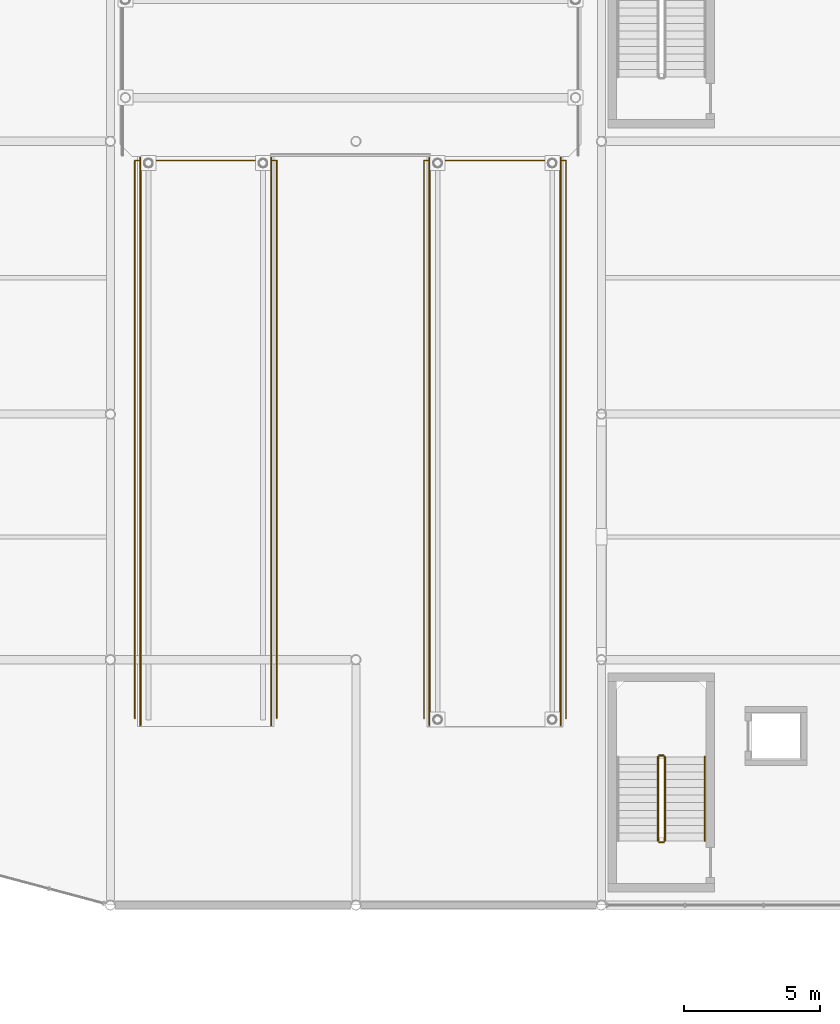
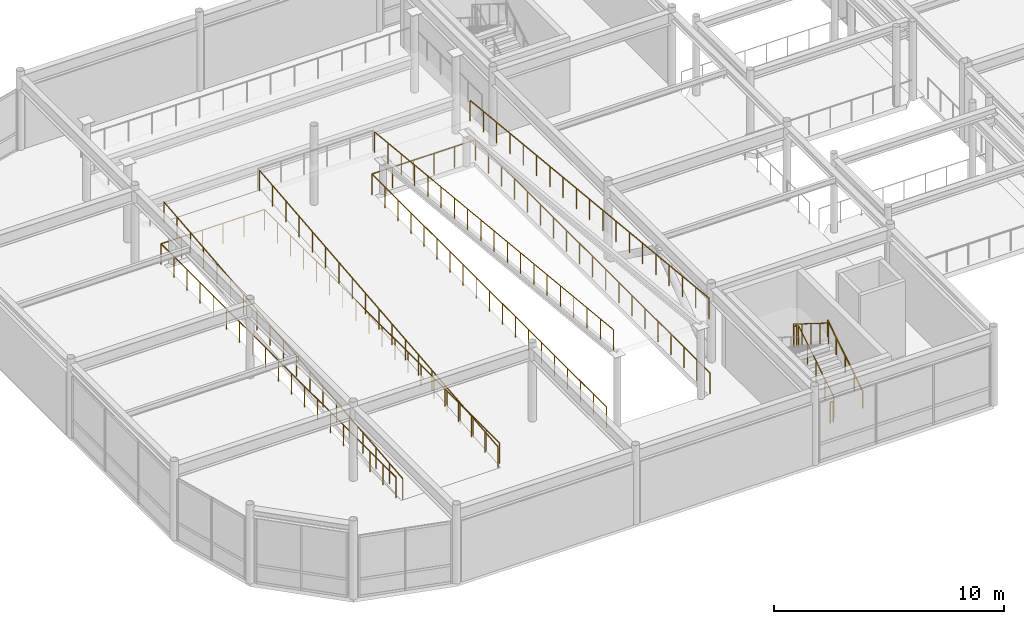
# One storey, part 59 of 70: 11 railings.
"""IFC4 building model written with IfcOpenShell, lengths in metres."""

from ifc_helpers import new_model, si_unit, direction, frame, origin, origin_2d, place, context, subcontext, project, spatial, circle, extrude, material, type_object, element, save


model = new_model("IFC4")

# Units and contexts
model_context = context("Model", 3, precision=1e-05, world=origin(), true_north=direction((0.0, 1.0)))
body_context = subcontext(model_context, "Body", "Model", "MODEL_VIEW")
ifc_project = project(units=[si_unit("LENGTHUNIT", "METRE"), si_unit("AREAUNIT", "SQUARE_METRE"), si_unit("VOLUMEUNIT", "CUBIC_METRE"), si_unit("PLANEANGLEUNIT", "RADIAN"), si_unit("MASSUNIT", "GRAM", prefix="KILO")], contexts=[model_context])

# Site, building, storey
site_placement = place(None, origin())
site = spatial("IfcSite", under=ifc_project, at=site_placement, CompositionType="ELEMENT")
building_placement = place(site_placement, origin())
building = spatial("IfcBuilding", under=site, at=building_placement, Name="Suzunagisa Mobility Hub", CompositionType="ELEMENT")
storey_placement = place(building_placement, frame((0.0, 0.0, 13.5)))
storey = spatial("IfcBuildingStorey", under=building, at=storey_placement, Name="L03", CompositionType="ELEMENT", Elevation=13.5)

# Railings
ifc_material = material(Name="Stainless Steel SUS304", Category="metal")
railing_type_1 = type_object("IfcRailingType", Name="Interior Well Guardrail IGR-01", PredefinedType="GUARDRAIL", material=ifc_material)
railing_1_placement = place(storey_placement, frame((29.330078125, 82.360107421875, 0.175048828125)))
element("IfcRailing", 1, at=railing_1_placement, inside=storey, type_object=railing_type_1, Name="L03 ST-05 stair guard 1", PredefinedType="GUARDRAIL", context=body_context, shape_type="SweptSolid", body=[
    extrude(circle(Radius=0.02392578125, at=origin_2d()), frame((0.0, 0.0, 1.09619140625), z_axis=(0.0, 0.847979421464, 0.530029150871), x_axis=(-1.0, 0.0, 0.0)), (0.0, 0.0, 1.0), 3.632080078125),
    extrude(circle(Radius=0.02099609375, at=origin_2d()), origin(), (0.0, 0.0, 1.0), 1.072021484375),
    extrude(circle(Radius=0.02099609375, at=origin_2d()), frame((0.0, 0.77001953125, 0.481201171875)), (0.0, 0.0, 1.0), 1.072021484375),
    extrude(circle(Radius=0.02099609375, at=origin_2d()), frame((0.0, 1.5400390625, 0.96240234375)), (0.0, 0.0, 1.0), 1.072021484375),
    extrude(circle(Radius=0.02099609375, at=origin_2d()), frame((0.0, 2.309814453125, 1.44384765625)), (0.0, 0.0, 1.0), 1.072021484375),
    extrude(circle(Radius=0.02099609375, at=origin_2d()), frame((0.0, 3.079833984375, 1.925048828125)), (0.0, 0.0, 1.0), 1.072021484375),
])
railing_2_placement = place(storey_placement, frame((29.280029296875, 85.489990234375, 2.10009765625)))
element("IfcRailing", 2, at=railing_2_placement, inside=storey, type_object=railing_type_1, Name="L03 ST-05 stair guard 2", PredefinedType="GUARDRAIL", context=body_context, shape_type="SweptSolid", body=[
    extrude(circle(Radius=0.02392578125, at=origin_2d()), frame((0.0, 0.0, 1.09619140625), z_axis=(-1.0, 0.0, 0.0), x_axis=(0.0, -1.0, 0.0)), (0.0, 0.0, 1.0), 0.159912109375),
    extrude(circle(Radius=0.02099609375, at=origin_2d()), origin(), (0.0, 0.0, 1.0), 1.072021484375),
    extrude(circle(Radius=0.02099609375, at=origin_2d()), frame((-0.159912109375, 0.0, 0.0)), (0.0, 0.0, 1.0), 1.072021484375),
])
railing_3_placement = place(storey_placement, frame((29.070068359375, 85.43994140625, 2.27490234375)))
element("IfcRailing", 3, at=railing_3_placement, inside=storey, type_object=railing_type_1, Name="L03 ST-05 stair guard 3", PredefinedType="GUARDRAIL", context=body_context, shape_type="SweptSolid", body=[
    extrude(circle(Radius=0.02392578125, at=origin_2d()), frame((0.0, 0.0, 1.09619140625), z_axis=(0.0, -0.847979421464, 0.530029150871), x_axis=(1.0, 0.0, 0.0)), (0.0, 0.0, 1.0), 3.632080078125),
    extrude(circle(Radius=0.02099609375, at=origin_2d()), origin(), (0.0, 0.0, 1.0), 1.072021484375),
    extrude(circle(Radius=0.02099609375, at=origin_2d()), frame((0.0, -0.77001953125, 0.481201171875)), (0.0, 0.0, 1.0), 1.072021484375),
    extrude(circle(Radius=0.02099609375, at=origin_2d()), frame((0.0, -1.5400390625, 0.96240234375)), (0.0, 0.0, 1.0), 1.072021484375),
    extrude(circle(Radius=0.02099609375, at=origin_2d()), frame((0.0, -2.309814453125, 1.44384765625)), (0.0, 0.0, 1.0), 1.072021484375),
    extrude(circle(Radius=0.02099609375, at=origin_2d()), frame((0.0, -3.079833984375, 1.925048828125)), (0.0, 0.0, 1.0), 1.072021484375),
])
railing_4_placement = place(storey_placement, frame((29.280029296875, 82.31005859375, 0.0)))
element("IfcRailing", 4, at=railing_4_placement, inside=storey, type_object=railing_type_1, Name="L03 ST-05 stair guard 4", PredefinedType="GUARDRAIL", context=body_context, shape_type="SweptSolid", body=[
    extrude(circle(Radius=0.02392578125, at=origin_2d()), frame((0.0, 0.0, 1.09619140625), z_axis=(-1.0, 0.0, 0.0), x_axis=(0.0, -1.0, 0.0)), (0.0, 0.0, 1.0), 0.159912109375),
    extrude(circle(Radius=0.02099609375, at=origin_2d()), origin(), (0.0, 0.0, 1.0), 1.072021484375),
    extrude(circle(Radius=0.02099609375, at=origin_2d()), frame((-0.159912109375, 0.0, 0.0)), (0.0, 0.0, 1.0), 1.072021484375),
])
railing_5_placement = place(storey_placement, frame((9.89990234375, 86.85009765625, 0.0)))
element("IfcRailing", 5, at=railing_5_placement, inside=storey, type_object=railing_type_1, Name="L03 Helical Ramp Up-Well Guardrail RG-42", PredefinedType="GUARDRAIL", context=body_context, shape_type="SweptSolid", body=[
    extrude(circle(Radius=0.02392578125, at=origin_2d()), frame((0.0, 0.0, 1.09619140625), z_axis=(0.0, 1.0, 0.0), x_axis=(-1.0, 0.0, 0.0)), (0.0, 0.0, 1.0), 20.449951171875),
    extrude(circle(Radius=0.02392578125, at=origin_2d()), frame((0.0, 20.449951171875, 1.09619140625), z_axis=(1.0, 0.0, 0.0), x_axis=(0.0, 1.0, 0.0)), (0.0, 0.0, 1.0), 5.2001953125),
    extrude(circle(Radius=0.02392578125, at=origin_2d()), frame((5.2001953125, 20.449951171875, 1.09619140625), z_axis=(0.0, -1.0, 0.0), x_axis=(1.0, 0.0, 0.0)), (0.0, 0.0, 1.0), 20.449951171875),
    extrude(circle(Radius=0.02099609375, at=origin_2d()), origin(), (0.0, 0.0, 1.0), 1.072021484375),
    extrude(circle(Radius=0.02099609375, at=origin_2d()), frame((0.0, 1.13623046875, 0.0)), (0.0, 0.0, 1.0), 1.072021484375),
    extrude(circle(Radius=0.02099609375, at=origin_2d()), frame((0.0, 2.272216796875, 0.0)), (0.0, 0.0, 1.0), 1.072021484375),
    extrude(circle(Radius=0.02099609375, at=origin_2d()), frame((0.0, 3.408203125, 0.0)), (0.0, 0.0, 1.0), 1.072021484375),
    extrude(circle(Radius=0.02099609375, at=origin_2d()), frame((0.0, 4.54443359375, 0.0)), (0.0, 0.0, 1.0), 1.072021484375),
    extrude(circle(Radius=0.02099609375, at=origin_2d()), frame((0.0, 5.6806640625, 0.0)), (0.0, 0.0, 1.0), 1.072021484375),
    extrude(circle(Radius=0.02099609375, at=origin_2d()), frame((0.0, 6.816650390625, 0.0)), (0.0, 0.0, 1.0), 1.072021484375),
    extrude(circle(Radius=0.02099609375, at=origin_2d()), frame((0.0, 7.95263671875, 0.0)), (0.0, 0.0, 1.0), 1.072021484375),
    extrude(circle(Radius=0.02099609375, at=origin_2d()), frame((0.0, 9.0888671875, 0.0)), (0.0, 0.0, 1.0), 1.072021484375),
    extrude(circle(Radius=0.02099609375, at=origin_2d()), frame((0.0, 10.22509765625, 0.0)), (0.0, 0.0, 1.0), 1.072021484375),
    extrude(circle(Radius=0.02099609375, at=origin_2d()), frame((0.0, 11.361083984375, 0.0)), (0.0, 0.0, 1.0), 1.072021484375),
    extrude(circle(Radius=0.02099609375, at=origin_2d()), frame((0.0, 12.497314453125, 0.0)), (0.0, 0.0, 1.0), 1.072021484375),
    extrude(circle(Radius=0.02099609375, at=origin_2d()), frame((0.0, 13.63330078125, 0.0)), (0.0, 0.0, 1.0), 1.072021484375),
    extrude(circle(Radius=0.02099609375, at=origin_2d()), frame((0.0, 14.76953125, 0.0)), (0.0, 0.0, 1.0), 1.072021484375),
    extrude(circle(Radius=0.02099609375, at=origin_2d()), frame((0.0, 15.905517578125, 0.0)), (0.0, 0.0, 1.0), 1.072021484375),
    extrude(circle(Radius=0.02099609375, at=origin_2d()), frame((0.0, 17.04150390625, 0.0)), (0.0, 0.0, 1.0), 1.072021484375),
    extrude(circle(Radius=0.02099609375, at=origin_2d()), frame((0.0, 18.177734375, 0.0)), (0.0, 0.0, 1.0), 1.072021484375),
    extrude(circle(Radius=0.02099609375, at=origin_2d()), frame((0.0, 19.31396484375, 0.0)), (0.0, 0.0, 1.0), 1.072021484375),
    extrude(circle(Radius=0.02099609375, at=origin_2d()), frame((0.0, 20.449951171875, 0.0)), (0.0, 0.0, 1.0), 1.072021484375),
    extrude(circle(Radius=0.02099609375, at=origin_2d()), frame((1.0400390625, 20.449951171875, 0.0)), (0.0, 0.0, 1.0), 1.072021484375),
    extrude(circle(Radius=0.02099609375, at=origin_2d()), frame((2.080078125, 20.449951171875, 0.0)), (0.0, 0.0, 1.0), 1.072021484375),
    extrude(circle(Radius=0.02099609375, at=origin_2d()), frame((3.1201171875, 20.449951171875, 0.0)), (0.0, 0.0, 1.0), 1.072021484375),
    extrude(circle(Radius=0.02099609375, at=origin_2d()), frame((4.16015625, 20.449951171875, 0.0)), (0.0, 0.0, 1.0), 1.072021484375),
    extrude(circle(Radius=0.02099609375, at=origin_2d()), frame((5.2001953125, 20.449951171875, 0.0)), (0.0, 0.0, 1.0), 1.072021484375),
    extrude(circle(Radius=0.02099609375, at=origin_2d()), frame((5.2001953125, 19.31396484375, 0.0)), (0.0, 0.0, 1.0), 1.072021484375),
    extrude(circle(Radius=0.02099609375, at=origin_2d()), frame((5.2001953125, 18.177734375, 0.0)), (0.0, 0.0, 1.0), 1.072021484375),
    extrude(circle(Radius=0.02099609375, at=origin_2d()), frame((5.2001953125, 17.04150390625, 0.0)), (0.0, 0.0, 1.0), 1.072021484375),
    extrude(circle(Radius=0.02099609375, at=origin_2d()), frame((5.2001953125, 15.905517578125, 0.0)), (0.0, 0.0, 1.0), 1.072021484375),
    extrude(circle(Radius=0.02099609375, at=origin_2d()), frame((5.2001953125, 14.76953125, 0.0)), (0.0, 0.0, 1.0), 1.072021484375),
    extrude(circle(Radius=0.02099609375, at=origin_2d()), frame((5.2001953125, 13.63330078125, 0.0)), (0.0, 0.0, 1.0), 1.072021484375),
    extrude(circle(Radius=0.02099609375, at=origin_2d()), frame((5.2001953125, 12.4970703125, 0.0)), (0.0, 0.0, 1.0), 1.072021484375),
    extrude(circle(Radius=0.02099609375, at=origin_2d()), frame((5.2001953125, 11.361083984375, 0.0)), (0.0, 0.0, 1.0), 1.072021484375),
    extrude(circle(Radius=0.02099609375, at=origin_2d()), frame((5.2001953125, 10.22509765625, 0.0)), (0.0, 0.0, 1.0), 1.072021484375),
    extrude(circle(Radius=0.02099609375, at=origin_2d()), frame((5.2001953125, 9.0888671875, 0.0)), (0.0, 0.0, 1.0), 1.072021484375),
    extrude(circle(Radius=0.02099609375, at=origin_2d()), frame((5.2001953125, 7.95263671875, 0.0)), (0.0, 0.0, 1.0), 1.072021484375),
    extrude(circle(Radius=0.02099609375, at=origin_2d()), frame((5.2001953125, 6.816650390625, 0.0)), (0.0, 0.0, 1.0), 1.072021484375),
    extrude(circle(Radius=0.02099609375, at=origin_2d()), frame((5.2001953125, 5.6806640625, 0.0)), (0.0, 0.0, 1.0), 1.072021484375),
    extrude(circle(Radius=0.02099609375, at=origin_2d()), frame((5.2001953125, 4.54443359375, 0.0)), (0.0, 0.0, 1.0), 1.072021484375),
    extrude(circle(Radius=0.02099609375, at=origin_2d()), frame((5.2001953125, 3.408203125, 0.0)), (0.0, 0.0, 1.0), 1.072021484375),
    extrude(circle(Radius=0.02099609375, at=origin_2d()), frame((5.2001953125, 2.272216796875, 0.0)), (0.0, 0.0, 1.0), 1.072021484375),
    extrude(circle(Radius=0.02099609375, at=origin_2d()), frame((5.2001953125, 1.13623046875, 0.0)), (0.0, 0.0, 1.0), 1.072021484375),
    extrude(circle(Radius=0.02099609375, at=origin_2d()), frame((5.2001953125, 0.0, 0.0)), (0.0, 0.0, 1.0), 1.072021484375),
])
railing_6_placement = place(storey_placement, frame((20.5, 86.85009765625, 0.0)))
element("IfcRailing", 6, at=railing_6_placement, inside=storey, type_object=railing_type_1, Name="L03 Helical Ramp Arrival Well Guardrail RG-43", PredefinedType="GUARDRAIL", context=body_context, shape_type="SweptSolid", body=[
    extrude(circle(Radius=0.02392578125, at=origin_2d()), frame((0.0, 0.0, 1.09619140625), z_axis=(0.0, 1.0, 0.0), x_axis=(-1.0, 0.0, 0.0)), (0.0, 0.0, 1.0), 20.449951171875),
    extrude(circle(Radius=0.02392578125, at=origin_2d()), frame((0.0, 20.449951171875, 1.09619140625), z_axis=(1.0, 0.0, 0.0), x_axis=(0.0, 1.0, 0.0)), (0.0, 0.0, 1.0), 5.199951171875),
    extrude(circle(Radius=0.02392578125, at=origin_2d()), frame((5.199951171875, 20.449951171875, 1.09619140625), z_axis=(0.0, -1.0, 0.0), x_axis=(1.0, 0.0, 0.0)), (0.0, 0.0, 1.0), 20.449951171875),
    extrude(circle(Radius=0.02099609375, at=origin_2d()), origin(), (0.0, 0.0, 1.0), 1.072021484375),
    extrude(circle(Radius=0.02099609375, at=origin_2d()), frame((0.0, 1.13623046875, 0.0)), (0.0, 0.0, 1.0), 1.072021484375),
    extrude(circle(Radius=0.02099609375, at=origin_2d()), frame((0.0, 2.272216796875, 0.0)), (0.0, 0.0, 1.0), 1.072021484375),
    extrude(circle(Radius=0.02099609375, at=origin_2d()), frame((0.0, 3.408203125, 0.0)), (0.0, 0.0, 1.0), 1.072021484375),
    extrude(circle(Radius=0.02099609375, at=origin_2d()), frame((0.0, 4.54443359375, 0.0)), (0.0, 0.0, 1.0), 1.072021484375),
    extrude(circle(Radius=0.02099609375, at=origin_2d()), frame((0.0, 5.6806640625, 0.0)), (0.0, 0.0, 1.0), 1.072021484375),
    extrude(circle(Radius=0.02099609375, at=origin_2d()), frame((0.0, 6.816650390625, 0.0)), (0.0, 0.0, 1.0), 1.072021484375),
    extrude(circle(Radius=0.02099609375, at=origin_2d()), frame((0.0, 7.95263671875, 0.0)), (0.0, 0.0, 1.0), 1.072021484375),
    extrude(circle(Radius=0.02099609375, at=origin_2d()), frame((0.0, 9.0888671875, 0.0)), (0.0, 0.0, 1.0), 1.072021484375),
    extrude(circle(Radius=0.02099609375, at=origin_2d()), frame((0.0, 10.22509765625, 0.0)), (0.0, 0.0, 1.0), 1.072021484375),
    extrude(circle(Radius=0.02099609375, at=origin_2d()), frame((0.0, 11.361083984375, 0.0)), (0.0, 0.0, 1.0), 1.072021484375),
    extrude(circle(Radius=0.02099609375, at=origin_2d()), frame((0.0, 12.497314453125, 0.0)), (0.0, 0.0, 1.0), 1.072021484375),
    extrude(circle(Radius=0.02099609375, at=origin_2d()), frame((0.0, 13.63330078125, 0.0)), (0.0, 0.0, 1.0), 1.072021484375),
    extrude(circle(Radius=0.02099609375, at=origin_2d()), frame((0.0, 14.76953125, 0.0)), (0.0, 0.0, 1.0), 1.072021484375),
    extrude(circle(Radius=0.02099609375, at=origin_2d()), frame((0.0, 15.905517578125, 0.0)), (0.0, 0.0, 1.0), 1.072021484375),
    extrude(circle(Radius=0.02099609375, at=origin_2d()), frame((0.0, 17.04150390625, 0.0)), (0.0, 0.0, 1.0), 1.072021484375),
    extrude(circle(Radius=0.02099609375, at=origin_2d()), frame((0.0, 18.177734375, 0.0)), (0.0, 0.0, 1.0), 1.072021484375),
    extrude(circle(Radius=0.02099609375, at=origin_2d()), frame((0.0, 19.31396484375, 0.0)), (0.0, 0.0, 1.0), 1.072021484375),
    extrude(circle(Radius=0.02099609375, at=origin_2d()), frame((0.0, 20.449951171875, 0.0)), (0.0, 0.0, 1.0), 1.072021484375),
    extrude(circle(Radius=0.02099609375, at=origin_2d()), frame((1.0400390625, 20.449951171875, 0.0)), (0.0, 0.0, 1.0), 1.072021484375),
    extrude(circle(Radius=0.02099609375, at=origin_2d()), frame((2.080078125, 20.449951171875, 0.0)), (0.0, 0.0, 1.0), 1.072021484375),
    extrude(circle(Radius=0.02099609375, at=origin_2d()), frame((3.119873046875, 20.449951171875, 0.0)), (0.0, 0.0, 1.0), 1.072021484375),
    extrude(circle(Radius=0.02099609375, at=origin_2d()), frame((4.159912109375, 20.449951171875, 0.0)), (0.0, 0.0, 1.0), 1.072021484375),
    extrude(circle(Radius=0.02099609375, at=origin_2d()), frame((5.199951171875, 20.449951171875, 0.0)), (0.0, 0.0, 1.0), 1.072021484375),
    extrude(circle(Radius=0.02099609375, at=origin_2d()), frame((5.199951171875, 19.31396484375, 0.0)), (0.0, 0.0, 1.0), 1.072021484375),
    extrude(circle(Radius=0.02099609375, at=origin_2d()), frame((5.199951171875, 18.177734375, 0.0)), (0.0, 0.0, 1.0), 1.072021484375),
    extrude(circle(Radius=0.02099609375, at=origin_2d()), frame((5.199951171875, 17.04150390625, 0.0)), (0.0, 0.0, 1.0), 1.072021484375),
    extrude(circle(Radius=0.02099609375, at=origin_2d()), frame((5.199951171875, 15.905517578125, 0.0)), (0.0, 0.0, 1.0), 1.072021484375),
    extrude(circle(Radius=0.02099609375, at=origin_2d()), frame((5.199951171875, 14.76953125, 0.0)), (0.0, 0.0, 1.0), 1.072021484375),
    extrude(circle(Radius=0.02099609375, at=origin_2d()), frame((5.199951171875, 13.63330078125, 0.0)), (0.0, 0.0, 1.0), 1.072021484375),
    extrude(circle(Radius=0.02099609375, at=origin_2d()), frame((5.199951171875, 12.4970703125, 0.0)), (0.0, 0.0, 1.0), 1.072021484375),
    extrude(circle(Radius=0.02099609375, at=origin_2d()), frame((5.199951171875, 11.361083984375, 0.0)), (0.0, 0.0, 1.0), 1.072021484375),
    extrude(circle(Radius=0.02099609375, at=origin_2d()), frame((5.199951171875, 10.22509765625, 0.0)), (0.0, 0.0, 1.0), 1.072021484375),
    extrude(circle(Radius=0.02099609375, at=origin_2d()), frame((5.199951171875, 9.0888671875, 0.0)), (0.0, 0.0, 1.0), 1.072021484375),
    extrude(circle(Radius=0.02099609375, at=origin_2d()), frame((5.199951171875, 7.95263671875, 0.0)), (0.0, 0.0, 1.0), 1.072021484375),
    extrude(circle(Radius=0.02099609375, at=origin_2d()), frame((5.199951171875, 6.816650390625, 0.0)), (0.0, 0.0, 1.0), 1.072021484375),
    extrude(circle(Radius=0.02099609375, at=origin_2d()), frame((5.199951171875, 5.6806640625, 0.0)), (0.0, 0.0, 1.0), 1.072021484375),
    extrude(circle(Radius=0.02099609375, at=origin_2d()), frame((5.199951171875, 4.54443359375, 0.0)), (0.0, 0.0, 1.0), 1.072021484375),
    extrude(circle(Radius=0.02099609375, at=origin_2d()), frame((5.199951171875, 3.408203125, 0.0)), (0.0, 0.0, 1.0), 1.072021484375),
    extrude(circle(Radius=0.02099609375, at=origin_2d()), frame((5.199951171875, 2.272216796875, 0.0)), (0.0, 0.0, 1.0), 1.072021484375),
    extrude(circle(Radius=0.02099609375, at=origin_2d()), frame((5.199951171875, 1.13623046875, 0.0)), (0.0, 0.0, 1.0), 1.072021484375),
    extrude(circle(Radius=0.02099609375, at=origin_2d()), frame((5.199951171875, 0.0, 0.0)), (0.0, 0.0, 1.0), 1.072021484375),
])
railing_7_placement = place(storey_placement, frame((10.10009765625, 86.60009765625, 0.0)))
element("IfcRailing", 7, at=railing_7_placement, inside=storey, type_object=railing_type_1, Name="L03 Vehicle Ramp Up-Flight Side Guard RG-44", PredefinedType="GUARDRAIL", context=body_context, shape_type="SweptSolid", body=[
    extrude(circle(Radius=0.02392578125, at=origin_2d()), frame((0.0, 0.0, 1.09619140625), z_axis=(0.0, 0.994941457927, 0.100456434822), x_axis=(-1.0, 0.0, 0.0)), (0.0, 0.0, 1.0), 20.905517578125),
    extrude(circle(Radius=0.02099609375, at=origin_2d()), origin(), (0.0, 0.0, 1.0), 1.072021484375),
    extrude(circle(Radius=0.02099609375, at=origin_2d()), frame((0.0, 1.155517578125, 0.11669921875)), (0.0, 0.0, 1.0), 1.072021484375),
    extrude(circle(Radius=0.02099609375, at=origin_2d()), frame((0.0, 2.31103515625, 0.2333984375)), (0.0, 0.0, 1.0), 1.072021484375),
    extrude(circle(Radius=0.02099609375, at=origin_2d()), frame((0.0, 3.466552734375, 0.35009765625)), (0.0, 0.0, 1.0), 1.072021484375),
    extrude(circle(Radius=0.02099609375, at=origin_2d()), frame((0.0, 4.6220703125, 0.466796875)), (0.0, 0.0, 1.0), 1.072021484375),
    extrude(circle(Radius=0.02099609375, at=origin_2d()), frame((0.0, 5.77783203125, 0.583251953125)), (0.0, 0.0, 1.0), 1.072021484375),
    extrude(circle(Radius=0.02099609375, at=origin_2d()), frame((0.0, 6.933349609375, 0.699951171875)), (0.0, 0.0, 1.0), 1.072021484375),
    extrude(circle(Radius=0.02099609375, at=origin_2d()), frame((0.0, 8.0888671875, 0.816650390625)), (0.0, 0.0, 1.0), 1.072021484375),
    extrude(circle(Radius=0.02099609375, at=origin_2d()), frame((0.0, 9.244384765625, 0.933349609375)), (0.0, 0.0, 1.0), 1.072021484375),
    extrude(circle(Radius=0.02099609375, at=origin_2d()), frame((0.0, 10.39990234375, 1.050048828125)), (0.0, 0.0, 1.0), 1.072021484375),
    extrude(circle(Radius=0.02099609375, at=origin_2d()), frame((0.0, 11.555419921875, 1.166748046875)), (0.0, 0.0, 1.0), 1.072021484375),
    extrude(circle(Radius=0.02099609375, at=origin_2d()), frame((0.0, 12.7109375, 1.283447265625)), (0.0, 0.0, 1.0), 1.072021484375),
    extrude(circle(Radius=0.02099609375, at=origin_2d()), frame((0.0, 13.866455078125, 1.400146484375)), (0.0, 0.0, 1.0), 1.072021484375),
    extrude(circle(Radius=0.02099609375, at=origin_2d()), frame((0.0, 15.02197265625, 1.516845703125)), (0.0, 0.0, 1.0), 1.072021484375),
    extrude(circle(Radius=0.02099609375, at=origin_2d()), frame((0.0, 16.177734375, 1.63330078125)), (0.0, 0.0, 1.0), 1.072021484375),
    extrude(circle(Radius=0.02099609375, at=origin_2d()), frame((0.0, 17.333251953125, 1.75)), (0.0, 0.0, 1.0), 1.072021484375),
    extrude(circle(Radius=0.02099609375, at=origin_2d()), frame((0.0, 18.48876953125, 1.86669921875)), (0.0, 0.0, 1.0), 1.072021484375),
    extrude(circle(Radius=0.02099609375, at=origin_2d()), frame((0.0, 19.644287109375, 1.9833984375)), (0.0, 0.0, 1.0), 1.072021484375),
    extrude(circle(Radius=0.02099609375, at=origin_2d()), frame((0.0, 20.7998046875, 2.10009765625)), (0.0, 0.0, 1.0), 1.072021484375),
])
railing_8_placement = place(storey_placement, frame((20.699951171875, 107.39990234375, 2.10009765625)))
element("IfcRailing", 8, at=railing_8_placement, inside=storey, type_object=railing_type_1, Name="L03 Vehicle Ramp Upper-Flight Side Guard RG-45", PredefinedType="GUARDRAIL", context=body_context, shape_type="SweptSolid", body=[
    extrude(circle(Radius=0.02392578125, at=origin_2d()), frame((0.0, 0.0, 1.09619140625), z_axis=(0.0, -0.994942625084, 0.100444874388), x_axis=(1.0, 0.0, 0.0)), (0.0, 0.0, 1.0), 20.905517578125),
    extrude(circle(Radius=0.02099609375, at=origin_2d()), origin(), (0.0, 0.0, 1.0), 1.072021484375),
    extrude(circle(Radius=0.02099609375, at=origin_2d()), frame((0.0, -1.155517578125, 0.11669921875)), (0.0, 0.0, 1.0), 1.072021484375),
    extrude(circle(Radius=0.02099609375, at=origin_2d()), frame((0.0, -2.31103515625, 0.2333984375)), (0.0, 0.0, 1.0), 1.072021484375),
    extrude(circle(Radius=0.02099609375, at=origin_2d()), frame((0.0, -3.466552734375, 0.35009765625)), (0.0, 0.0, 1.0), 1.072021484375),
    extrude(circle(Radius=0.02099609375, at=origin_2d()), frame((0.0, -4.6220703125, 0.466552734375)), (0.0, 0.0, 1.0), 1.072021484375),
    extrude(circle(Radius=0.02099609375, at=origin_2d()), frame((0.0, -5.77783203125, 0.583251953125)), (0.0, 0.0, 1.0), 1.072021484375),
    extrude(circle(Radius=0.02099609375, at=origin_2d()), frame((0.0, -6.933349609375, 0.699951171875)), (0.0, 0.0, 1.0), 1.072021484375),
    extrude(circle(Radius=0.02099609375, at=origin_2d()), frame((0.0, -8.0888671875, 0.816650390625)), (0.0, 0.0, 1.0), 1.072021484375),
    extrude(circle(Radius=0.02099609375, at=origin_2d()), frame((0.0, -9.244384765625, 0.933349609375)), (0.0, 0.0, 1.0), 1.072021484375),
    extrude(circle(Radius=0.02099609375, at=origin_2d()), frame((0.0, -10.39990234375, 1.0498046875)), (0.0, 0.0, 1.0), 1.072021484375),
    extrude(circle(Radius=0.02099609375, at=origin_2d()), frame((0.0, -11.555419921875, 1.16650390625)), (0.0, 0.0, 1.0), 1.072021484375),
    extrude(circle(Radius=0.02099609375, at=origin_2d()), frame((0.0, -12.7109375, 1.283203125)), (0.0, 0.0, 1.0), 1.072021484375),
    extrude(circle(Radius=0.02099609375, at=origin_2d()), frame((0.0, -13.866455078125, 1.39990234375)), (0.0, 0.0, 1.0), 1.072021484375),
    extrude(circle(Radius=0.02099609375, at=origin_2d()), frame((0.0, -15.02197265625, 1.5166015625)), (0.0, 0.0, 1.0), 1.072021484375),
    extrude(circle(Radius=0.02099609375, at=origin_2d()), frame((0.0, -16.177734375, 1.63330078125)), (0.0, 0.0, 1.0), 1.072021484375),
    extrude(circle(Radius=0.02099609375, at=origin_2d()), frame((0.0, -17.333251953125, 1.75)), (0.0, 0.0, 1.0), 1.072021484375),
    extrude(circle(Radius=0.02099609375, at=origin_2d()), frame((0.0, -18.48876953125, 1.866455078125)), (0.0, 0.0, 1.0), 1.072021484375),
    extrude(circle(Radius=0.02099609375, at=origin_2d()), frame((0.0, -19.644287109375, 1.983154296875)), (0.0, 0.0, 1.0), 1.072021484375),
    extrude(circle(Radius=0.02099609375, at=origin_2d()), frame((0.0, -20.7998046875, 2.099853515625)), (0.0, 0.0, 1.0), 1.072021484375),
])
railing_9_placement = place(storey_placement, frame((14.89990234375, 86.60009765625, 0.0)))
element("IfcRailing", 9, at=railing_9_placement, inside=storey, type_object=railing_type_1, Name="L03 Vehicle Ramp Up-Flight Side Guard RG-46", PredefinedType="GUARDRAIL", context=body_context, shape_type="SweptSolid", body=[
    extrude(circle(Radius=0.02392578125, at=origin_2d()), frame((0.0, 0.0, 1.09619140625), z_axis=(0.0, 0.994941457927, 0.100456434822), x_axis=(-1.0, 0.0, 0.0)), (0.0, 0.0, 1.0), 20.905517578125),
    extrude(circle(Radius=0.02099609375, at=origin_2d()), origin(), (0.0, 0.0, 1.0), 1.072021484375),
    extrude(circle(Radius=0.02099609375, at=origin_2d()), frame((0.0, 1.155517578125, 0.11669921875)), (0.0, 0.0, 1.0), 1.072021484375),
    extrude(circle(Radius=0.02099609375, at=origin_2d()), frame((0.0, 2.31103515625, 0.2333984375)), (0.0, 0.0, 1.0), 1.072021484375),
    extrude(circle(Radius=0.02099609375, at=origin_2d()), frame((0.0, 3.466552734375, 0.35009765625)), (0.0, 0.0, 1.0), 1.072021484375),
    extrude(circle(Radius=0.02099609375, at=origin_2d()), frame((0.0, 4.6220703125, 0.466796875)), (0.0, 0.0, 1.0), 1.072021484375),
    extrude(circle(Radius=0.02099609375, at=origin_2d()), frame((0.0, 5.77783203125, 0.583251953125)), (0.0, 0.0, 1.0), 1.072021484375),
    extrude(circle(Radius=0.02099609375, at=origin_2d()), frame((0.0, 6.933349609375, 0.699951171875)), (0.0, 0.0, 1.0), 1.072021484375),
    extrude(circle(Radius=0.02099609375, at=origin_2d()), frame((0.0, 8.0888671875, 0.816650390625)), (0.0, 0.0, 1.0), 1.072021484375),
    extrude(circle(Radius=0.02099609375, at=origin_2d()), frame((0.0, 9.244384765625, 0.933349609375)), (0.0, 0.0, 1.0), 1.072021484375),
    extrude(circle(Radius=0.02099609375, at=origin_2d()), frame((0.0, 10.39990234375, 1.050048828125)), (0.0, 0.0, 1.0), 1.072021484375),
    extrude(circle(Radius=0.02099609375, at=origin_2d()), frame((0.0, 11.555419921875, 1.166748046875)), (0.0, 0.0, 1.0), 1.072021484375),
    extrude(circle(Radius=0.02099609375, at=origin_2d()), frame((0.0, 12.7109375, 1.283447265625)), (0.0, 0.0, 1.0), 1.072021484375),
    extrude(circle(Radius=0.02099609375, at=origin_2d()), frame((0.0, 13.866455078125, 1.400146484375)), (0.0, 0.0, 1.0), 1.072021484375),
    extrude(circle(Radius=0.02099609375, at=origin_2d()), frame((0.0, 15.02197265625, 1.516845703125)), (0.0, 0.0, 1.0), 1.072021484375),
    extrude(circle(Radius=0.02099609375, at=origin_2d()), frame((0.0, 16.177734375, 1.63330078125)), (0.0, 0.0, 1.0), 1.072021484375),
    extrude(circle(Radius=0.02099609375, at=origin_2d()), frame((0.0, 17.333251953125, 1.75)), (0.0, 0.0, 1.0), 1.072021484375),
    extrude(circle(Radius=0.02099609375, at=origin_2d()), frame((0.0, 18.48876953125, 1.86669921875)), (0.0, 0.0, 1.0), 1.072021484375),
    extrude(circle(Radius=0.02099609375, at=origin_2d()), frame((0.0, 19.644287109375, 1.9833984375)), (0.0, 0.0, 1.0), 1.072021484375),
    extrude(circle(Radius=0.02099609375, at=origin_2d()), frame((0.0, 20.7998046875, 2.10009765625)), (0.0, 0.0, 1.0), 1.072021484375),
])
railing_10_placement = place(storey_placement, frame((25.5, 107.39990234375, 2.10009765625)))
element("IfcRailing", 10, at=railing_10_placement, inside=storey, type_object=railing_type_1, Name="L03 Vehicle Ramp Upper-Flight Side Guard RG-47", PredefinedType="GUARDRAIL", context=body_context, shape_type="SweptSolid", body=[
    extrude(circle(Radius=0.02392578125, at=origin_2d()), frame((0.0, 0.0, 1.09619140625), z_axis=(0.0, -0.994942625084, 0.100444874388), x_axis=(1.0, 0.0, 0.0)), (0.0, 0.0, 1.0), 20.905517578125),
    extrude(circle(Radius=0.02099609375, at=origin_2d()), origin(), (0.0, 0.0, 1.0), 1.072021484375),
    extrude(circle(Radius=0.02099609375, at=origin_2d()), frame((0.0, -1.155517578125, 0.11669921875)), (0.0, 0.0, 1.0), 1.072021484375),
    extrude(circle(Radius=0.02099609375, at=origin_2d()), frame((0.0, -2.31103515625, 0.2333984375)), (0.0, 0.0, 1.0), 1.072021484375),
    extrude(circle(Radius=0.02099609375, at=origin_2d()), frame((0.0, -3.466552734375, 0.35009765625)), (0.0, 0.0, 1.0), 1.072021484375),
    extrude(circle(Radius=0.02099609375, at=origin_2d()), frame((0.0, -4.6220703125, 0.466552734375)), (0.0, 0.0, 1.0), 1.072021484375),
    extrude(circle(Radius=0.02099609375, at=origin_2d()), frame((0.0, -5.77783203125, 0.583251953125)), (0.0, 0.0, 1.0), 1.072021484375),
    extrude(circle(Radius=0.02099609375, at=origin_2d()), frame((0.0, -6.933349609375, 0.699951171875)), (0.0, 0.0, 1.0), 1.072021484375),
    extrude(circle(Radius=0.02099609375, at=origin_2d()), frame((0.0, -8.0888671875, 0.816650390625)), (0.0, 0.0, 1.0), 1.072021484375),
    extrude(circle(Radius=0.02099609375, at=origin_2d()), frame((0.0, -9.244384765625, 0.933349609375)), (0.0, 0.0, 1.0), 1.072021484375),
    extrude(circle(Radius=0.02099609375, at=origin_2d()), frame((0.0, -10.39990234375, 1.0498046875)), (0.0, 0.0, 1.0), 1.072021484375),
    extrude(circle(Radius=0.02099609375, at=origin_2d()), frame((0.0, -11.555419921875, 1.16650390625)), (0.0, 0.0, 1.0), 1.072021484375),
    extrude(circle(Radius=0.02099609375, at=origin_2d()), frame((0.0, -12.7109375, 1.283203125)), (0.0, 0.0, 1.0), 1.072021484375),
    extrude(circle(Radius=0.02099609375, at=origin_2d()), frame((0.0, -13.866455078125, 1.39990234375)), (0.0, 0.0, 1.0), 1.072021484375),
    extrude(circle(Radius=0.02099609375, at=origin_2d()), frame((0.0, -15.02197265625, 1.5166015625)), (0.0, 0.0, 1.0), 1.072021484375),
    extrude(circle(Radius=0.02099609375, at=origin_2d()), frame((0.0, -16.177734375, 1.63330078125)), (0.0, 0.0, 1.0), 1.072021484375),
    extrude(circle(Radius=0.02099609375, at=origin_2d()), frame((0.0, -17.333251953125, 1.75)), (0.0, 0.0, 1.0), 1.072021484375),
    extrude(circle(Radius=0.02099609375, at=origin_2d()), frame((0.0, -18.48876953125, 1.866455078125)), (0.0, 0.0, 1.0), 1.072021484375),
    extrude(circle(Radius=0.02099609375, at=origin_2d()), frame((0.0, -19.644287109375, 1.983154296875)), (0.0, 0.0, 1.0), 1.072021484375),
    extrude(circle(Radius=0.02099609375, at=origin_2d()), frame((0.0, -20.7998046875, 2.099853515625)), (0.0, 0.0, 1.0), 1.072021484375),
])
railing_type_2 = type_object("IfcRailingType", Name="Tubular Stainless Stair Handrail IHR-01", PredefinedType="HANDRAIL", material=ifc_material)
railing_11_placement = place(storey_placement, frame((30.7900390625, 82.360107421875, 0.175048828125)))
element("IfcRailing", 11, at=railing_11_placement, inside=storey, type_object=railing_type_2, Name="L03 ST-05 stair handrail 1", PredefinedType="HANDRAIL", context=body_context, shape_type="SweptSolid", body=[
    extrude(circle(Radius=0.02392578125, at=origin_2d()), frame((0.0, 0.0, 0.8759765625), z_axis=(0.0, 0.847979421464, 0.530029150871), x_axis=(-1.0, 0.0, 0.0)), (0.0, 0.0, 1.0), 3.632080078125),
    extrude(circle(Radius=0.02099609375, at=origin_2d()), origin(), (0.0, 0.0, 1.0), 0.851806640625),
    extrude(circle(Radius=0.02099609375, at=origin_2d()), frame((0.0, 0.77001953125, 0.481201171875)), (0.0, 0.0, 1.0), 0.851806640625),
    extrude(circle(Radius=0.02099609375, at=origin_2d()), frame((0.0, 1.5400390625, 0.96240234375)), (0.0, 0.0, 1.0), 0.851806640625),
    extrude(circle(Radius=0.02099609375, at=origin_2d()), frame((0.0, 2.309814453125, 1.44384765625)), (0.0, 0.0, 1.0), 0.851806640625),
    extrude(circle(Radius=0.02099609375, at=origin_2d()), frame((0.0, 3.079833984375, 1.925048828125)), (0.0, 0.0, 1.0), 0.851806640625),
])

save(model, "model.ifc")
